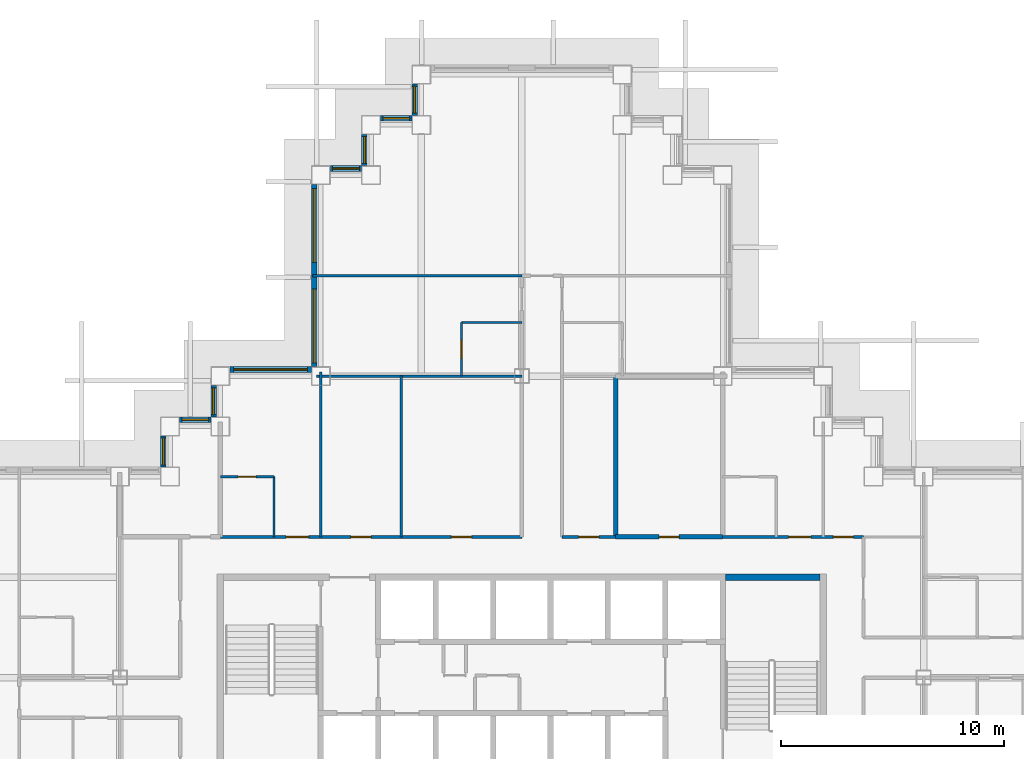
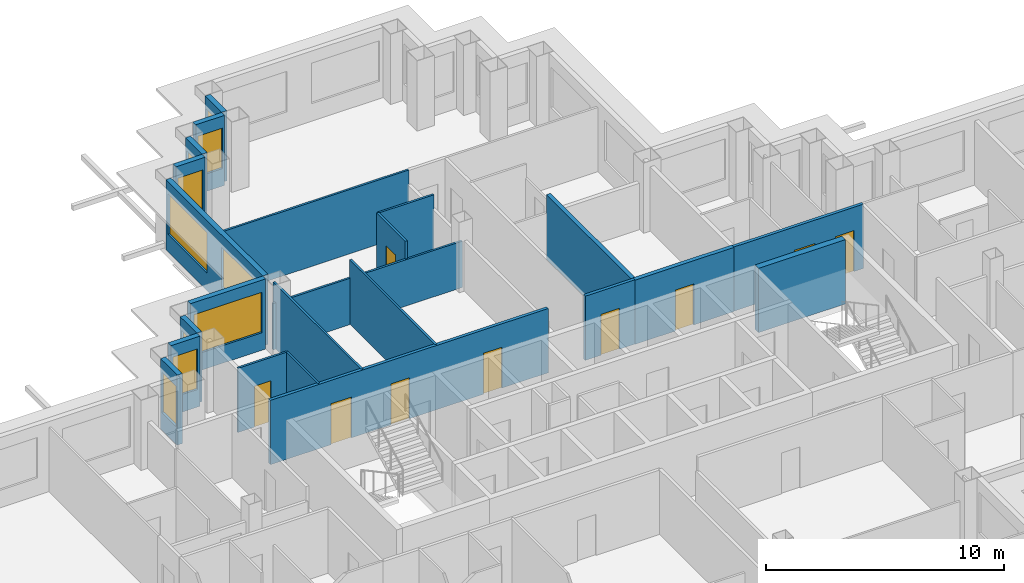
# One storey, part 9 of 17: 23 walls, 10 windows, 9 doors, 19 openings.
"""IFC4 building model written with IfcOpenShell, lengths in metres."""

from ifc_helpers import new_model, si_unit, direction, frame, frame_2d, origin, place, context, subcontext, project, spatial, rectangle, extrude, material, layer, layer_set, type_object, element, fill, save


model = new_model("IFC4")

# Units and contexts
model_context = context("Model", 3, precision=1e-05, world=origin(), true_north=direction((0.0, 1.0)))
body_context = subcontext(model_context, "Body", "Model", "MODEL_VIEW")
ifc_project = project(units=[si_unit("LENGTHUNIT", "METRE"), si_unit("AREAUNIT", "SQUARE_METRE"), si_unit("VOLUMEUNIT", "CUBIC_METRE"), si_unit("PLANEANGLEUNIT", "RADIAN"), si_unit("MASSUNIT", "GRAM", prefix="KILO")], contexts=[model_context])

# Site, building, storey
site_placement = place(None, origin())
site = spatial("IfcSite", under=ifc_project, at=site_placement, CompositionType="ELEMENT")
building_placement = place(site_placement, origin())
building = spatial("IfcBuilding", under=site, at=building_placement, Name="Caravel Reach Hotel and Residences", CompositionType="ELEMENT")
storey_placement = place(building_placement, frame((0.0, 0.0, 126.0)))
storey = spatial("IfcBuildingStorey", under=building, at=storey_placement, Name="L31", CompositionType="ELEMENT", Elevation=126.0)

# Wall, opening, door
ifc_material_1 = material(Name="Gypsum board on steel stud", Category="steel")
ifc_layer_1 = layer(ifc_material_1, 0.10009765625)
ifc_layer_set_1 = layer_set([ifc_layer_1], Name="Bathroom pod wall 100 mm")
wall_type_1 = type_object("IfcWallType", Name="Bathroom pod wall 100 mm", PredefinedType="PARTITIONING", material=ifc_layer_set_1)
wall_1_placement = place(storey_placement, frame((18.0, 36.0, 0.0), z_axis=(0.0, 0.0, 1.0), x_axis=(1.0, 0.0, 0.0)))
wall_1 = element("IfcWall", 1, at=wall_1_placement, inside=storey, type_object=wall_type_1, Name="L31 wall w077", PredefinedType="PARTITIONING", context=body_context, shape_type="SweptSolid", body=[
    extrude(rectangle(XDim=2.39990234375, YDim=0.10009765625, at=frame_2d((1.199951171875, 0.0))), origin(), (0.0, 0.0, 1.0), 3.300048828125),
])
opening_1_placement = place(wall_1_placement, frame((0.800048828125, 0.0, 0.0)))
opening_1 = element("IfcOpeningElement", 2, at=opening_1_placement, cuts=wall_1, Name="Opening D31-041", PredefinedType="OPENING", context=body_context, shape_type="SweptSolid", body=[
    extrude(rectangle(XDim=0.800048828125, YDim=2.10009765625, at=frame_2d((0.39990234375, 1.050048828125))), frame((0.0, 0.06005859375, 0.0), z_axis=(0.0, -1.0, 0.0), x_axis=(1.0, 0.0, 0.0)), (0.0, 0.0, 1.0), 0.1201171875),
])
ifc_material_2 = material(Name="Timber and steel door leaf", Category="steel")
door_type_1 = type_object("IfcDoorType", Name="Bathroom door 800 x 2100", OperationType="SINGLE_SWING_LEFT", PredefinedType="DOOR", material=ifc_material_2)
door_1_placement = place(opening_1_placement, origin())
door_1 = element("IfcDoor", 3, at=door_1_placement, inside=storey, type_object=door_type_1, Name="door D31-041", OperationType="SINGLE_SWING_RIGHT", OverallHeight=2.10009765625, OverallWidth=0.800048828125, PredefinedType="DOOR", context=body_context, shape_type="SweptSolid", body=[
    extrude(rectangle(XDim=0.800048828125, YDim=2.10009765625, at=frame_2d((0.39990234375, 1.050048828125))), frame((0.0, 0.02490234375, 0.0), z_axis=(0.0, -1.0, 0.0), x_axis=(1.0, 0.0, 0.0)), (0.0, 0.0, 1.0), 0.050048828125),
])
fill(opening_1, door_1)

# Walls
for number, where, z_axis, x_axis, name in (
    (4, (28.800048828125, 42.89990234375, 0.0), (0.0, 0.0, 1.0), (1.0, 0.0, 0.0), "L31 wall w080"),
    (5, (20.39990234375, 33.300048828125, 0.0), (0.0, 0.0, 1.0), (0.0, 1.0, 0.0), "L31 wall w084"),
):
    element("IfcWall", number, at=place(storey_placement, frame(where, z_axis=z_axis, x_axis=x_axis)), inside=storey, type_object=wall_type_1, Name=name, PredefinedType="PARTITIONING", context=body_context, shape_type="SweptSolid", body=[
        extrude(rectangle(XDim=2.699951171875, YDim=0.10009765625, at=frame_2d((1.35009765625, 0.0))), origin(), (0.0, 0.0, 1.0), 3.300048828125),
    ])

# Wall, opening, door
wall_2_placement = place(storey_placement, frame((28.800048828125, 40.5, 0.0), z_axis=(0.0, 0.0, 1.0), x_axis=(0.0, 1.0, 0.0)))
wall_2 = element("IfcWall", 6, at=wall_2_placement, inside=storey, type_object=wall_type_1, Name="L31 wall w087", PredefinedType="PARTITIONING", context=body_context, shape_type="SweptSolid", body=[
    extrude(rectangle(XDim=2.39990234375, YDim=0.10009765625, at=frame_2d((1.199951171875, 0.0))), origin(), (0.0, 0.0, 1.0), 3.300048828125),
])
opening_2_placement = place(wall_2_placement, frame((0.800048828125, 0.0, 0.0)))
opening_2 = element("IfcOpeningElement", 7, at=opening_2_placement, cuts=wall_2, Name="Opening D31-029", PredefinedType="OPENING", context=body_context, shape_type="SweptSolid", body=[
    extrude(rectangle(XDim=0.800048828125, YDim=2.10009765625, at=frame_2d((0.39990234375, 1.050048828125))), frame((0.0, 0.06005859375, 0.0), z_axis=(0.0, -1.0, 0.0), x_axis=(1.0, 0.0, 0.0)), (0.0, 0.0, 1.0), 0.1201171875),
])
door_2_placement = place(opening_2_placement, origin())
door_2 = element("IfcDoor", 8, at=door_2_placement, inside=storey, type_object=door_type_1, Name="door D31-029", OperationType="SINGLE_SWING_LEFT", OverallHeight=2.10009765625, OverallWidth=0.800048828125, PredefinedType="DOOR", context=body_context, shape_type="SweptSolid", body=[
    extrude(rectangle(XDim=0.800048828125, YDim=2.10009765625, at=frame_2d((0.39990234375, 1.050048828125))), frame((0.0, 0.02490234375, 0.0), z_axis=(0.0, -1.0, 0.0), x_axis=(1.0, 0.0, 0.0)), (0.0, 0.0, 1.0), 0.050048828125),
])
fill(opening_2, door_2)

ifc_material_3 = material(Name="Autoclaved aerated block wall")
ifc_layer_2 = layer(ifc_material_3, 0.199951171875)
ifc_layer_set_2 = layer_set([ifc_layer_2], Name="Compartment wall 200 mm EI 120")
wall_type_2 = type_object("IfcWallType", Name="Compartment wall 200 mm EI 120", PredefinedType="PARTITIONING", material=ifc_layer_set_2)
wall_3_placement = place(storey_placement, frame((35.699951171875, 33.300048828125, 0.0), z_axis=(0.0, 0.0, 1.0), x_axis=(1.0, 0.0, 0.0)))
wall_3 = element("IfcWall", 9, at=wall_3_placement, inside=storey, type_object=wall_type_2, Name="L31 wall w096", PredefinedType="PARTITIONING", context=body_context, shape_type="SweptSolid", body=[
    extrude(rectangle(XDim=4.800048828125, YDim=0.199951171875, at=frame_2d((2.39990234375, 0.0))), origin(), (0.0, 0.0, 1.0), 3.300048828125),
])
opening_3_placement = place(wall_3_placement, frame((1.949951171875, 0.0, 0.0)))
opening_3 = element("IfcOpeningElement", 10, at=opening_3_placement, cuts=wall_3, Name="Opening D31-053", PredefinedType="OPENING", context=body_context, shape_type="SweptSolid", body=[
    extrude(rectangle(XDim=0.89990234375, YDim=2.10009765625, at=frame_2d((0.449951171875, 1.050048828125))), frame((0.0, 0.10986328125, 0.0), z_axis=(0.0, -1.0, 0.0), x_axis=(1.0, 0.0, 0.0)), (0.0, 0.0, 1.0), 0.219970703125),
])
ifc_material_4 = material(Name="Steel fire door leaf", Category="steel")
door_type_2 = type_object("IfcDoorType", Name="Riser door 900 x 2100 EI 60", OperationType="SINGLE_SWING_LEFT", PredefinedType="DOOR", material=ifc_material_4)
door_3_placement = place(opening_3_placement, origin())
door_3 = element("IfcDoor", 11, at=door_3_placement, inside=storey, type_object=door_type_2, Name="door D31-053", OperationType="SINGLE_SWING_LEFT", OverallHeight=2.10009765625, OverallWidth=0.89990234375, PredefinedType="DOOR", context=body_context, shape_type="SweptSolid", body=[
    extrude(rectangle(XDim=0.89990234375, YDim=2.10009765625, at=frame_2d((0.449951171875, 1.050048828125))), frame((0.0, 0.02490234375, 0.0), z_axis=(0.0, -1.0, 0.0), x_axis=(1.0, 0.0, 0.0)), (0.0, 0.0, 1.0), 0.050048828125),
])
fill(opening_3, door_3)

# Walls
wall_4_placement = place(storey_placement, frame((35.699951171875, 33.300048828125, 0.0), z_axis=(0.0, 0.0, 1.0), x_axis=(0.0, 1.0, 0.0)))
element("IfcWall", 12, at=wall_4_placement, inside=storey, type_object=wall_type_2, Name="L31 wall w102", PredefinedType="PARTITIONING", context=body_context, shape_type="SweptSolid", body=[
    extrude(rectangle(XDim=7.199951171875, YDim=0.199951171875, at=frame_2d((3.60009765625, 0.0))), origin(), (0.0, 0.0, 1.0), 3.300048828125),
])
ifc_material_5 = material(Name="Concrete C60", Category="concrete")
ifc_layer_3 = layer(ifc_material_5, 0.300048828125)
ifc_layer_set_3 = layer_set([ifc_layer_3], Name="Core wall 300 mm EI 120")
wall_type_3 = type_object("IfcWallType", Name="Core wall 300 mm EI 120", PredefinedType="SHEAR", material=ifc_layer_set_3)
wall_5_placement = place(storey_placement, frame((40.625, 31.5, 0.0), z_axis=(0.0, 0.0, 1.0), x_axis=(1.0, 0.0, 0.0)))
element("IfcWall", 13, at=wall_5_placement, inside=storey, type_object=wall_type_3, Name="L31 core wall N2", PredefinedType="SHEAR", context=body_context, shape_type="SweptSolid", body=[
    extrude(rectangle(XDim=4.22509765625, YDim=0.300048828125, at=frame_2d((2.112548828125, 0.0))), origin(), (0.0, 0.0, 1.0), 3.300048828125),
])

# Wall, openings, doors
ifc_material_6 = material(Name="Gypsum board on steel stud, fire-rated", Category="steel")
ifc_layer_4 = layer(ifc_material_6, 0.14990234375)
ifc_layer_set_4 = layer_set([ifc_layer_4], Name="Corridor wall 150 mm EI 60")
wall_type_4 = type_object("IfcWallType", Name="Corridor wall 150 mm EI 60", PredefinedType="PARTITIONING", material=ifc_layer_set_4)
wall_6_placement = place(storey_placement, frame((18.0, 33.300048828125, 0.0), z_axis=(0.0, 0.0, 1.0), x_axis=(1.0, 0.0, 0.0)))
wall_6 = element("IfcWall", 14, at=wall_6_placement, inside=storey, type_object=wall_type_4, Name="L31 wall w015", PredefinedType="PARTITIONING", context=body_context, shape_type="SweptSolid", body=[
    extrude(rectangle(XDim=13.5, YDim=0.14990234375, at=frame_2d((6.75, 0.0))), origin(), (0.0, 0.0, 1.0), 3.300048828125),
])
opening_4_placement = place(wall_6_placement, frame((2.949951171875, 0.0, 0.0)))
opening_4 = element("IfcOpeningElement", 15, at=opening_4_placement, cuts=wall_6, Name="Opening D31-040", PredefinedType="OPENING", context=body_context, shape_type="SweptSolid", body=[
    extrude(rectangle(XDim=1.0, YDim=2.10009765625, at=frame_2d((0.5, 1.050048828125))), frame((0.0, 0.0849609375, 0.0), z_axis=(0.0, -1.0, 0.0), x_axis=(1.0, 0.0, 0.0)), (0.0, 0.0, 1.0), 0.169921875),
])
opening_5_placement = place(wall_6_placement, frame((5.85009765625, 0.0, 0.0)))
opening_5 = element("IfcOpeningElement", 16, at=opening_5_placement, cuts=wall_6, Name="Opening D31-050", PredefinedType="OPENING", context=body_context, shape_type="SweptSolid", body=[
    extrude(rectangle(XDim=0.89990234375, YDim=2.10009765625, at=frame_2d((0.449951171875, 1.050048828125))), frame((0.0, 0.0849609375, 0.0), z_axis=(0.0, -1.0, 0.0), x_axis=(1.0, 0.0, 0.0)), (0.0, 0.0, 1.0), 0.169921875),
])
opening_6_placement = place(wall_6_placement, frame((10.35009765625, 0.0, 0.0)))
opening_6 = element("IfcOpeningElement", 17, at=opening_6_placement, cuts=wall_6, Name="Opening D31-051", PredefinedType="OPENING", context=body_context, shape_type="SweptSolid", body=[
    extrude(rectangle(XDim=0.89990234375, YDim=2.10009765625, at=frame_2d((0.449951171875, 1.050048828125))), frame((0.0, 0.0849609375, 0.0), z_axis=(0.0, -1.0, 0.0), x_axis=(1.0, 0.0, 0.0)), (0.0, 0.0, 1.0), 0.169921875),
])
ifc_material_7 = material(Name="Timber and steel door leaf", Category="steel")
door_type_3 = type_object("IfcDoorType", Name="Door 900 x 2100 timber", OperationType="SINGLE_SWING_LEFT", PredefinedType="DOOR", material=ifc_material_7)
door_4_placement = place(opening_5_placement, origin())
door_4 = element("IfcDoor", 18, at=door_4_placement, inside=storey, type_object=door_type_3, Name="door D31-050", OperationType="SINGLE_SWING_LEFT", OverallHeight=2.10009765625, OverallWidth=0.89990234375, PredefinedType="DOOR", context=body_context, shape_type="SweptSolid", body=[
    extrude(rectangle(XDim=0.89990234375, YDim=2.10009765625, at=frame_2d((0.449951171875, 1.050048828125))), frame((0.0, 0.02490234375, 0.0), z_axis=(0.0, -1.0, 0.0), x_axis=(1.0, 0.0, 0.0)), (0.0, 0.0, 1.0), 0.050048828125),
])
fill(opening_5, door_4)
door_5_placement = place(opening_6_placement, origin())
door_5 = element("IfcDoor", 19, at=door_5_placement, inside=storey, type_object=door_type_3, Name="door D31-051", OperationType="SINGLE_SWING_LEFT", OverallHeight=2.10009765625, OverallWidth=0.89990234375, PredefinedType="DOOR", context=body_context, shape_type="SweptSolid", body=[
    extrude(rectangle(XDim=0.89990234375, YDim=2.10009765625, at=frame_2d((0.449951171875, 1.050048828125))), frame((0.0, 0.02490234375, 0.0), z_axis=(0.0, -1.0, 0.0), x_axis=(1.0, 0.0, 0.0)), (0.0, 0.0, 1.0), 0.050048828125),
])
fill(opening_6, door_5)
ifc_material_8 = material(Name="Steel fire door leaf", Category="steel")
door_type_4 = type_object("IfcDoorType", Name="Guest room door 1000 x 2100 EI 30", OperationType="SINGLE_SWING_LEFT", PredefinedType="DOOR", material=ifc_material_8)
door_6_placement = place(opening_4_placement, origin())
door_6 = element("IfcDoor", 20, at=door_6_placement, inside=storey, type_object=door_type_4, Name="door D31-040", OperationType="SINGLE_SWING_RIGHT", OverallHeight=2.10009765625, OverallWidth=1.0, PredefinedType="DOOR", context=body_context, shape_type="SweptSolid", body=[
    extrude(rectangle(XDim=1.0, YDim=2.10009765625, at=frame_2d((0.5, 1.050048828125))), frame((0.0, 0.02490234375, 0.0), z_axis=(0.0, -1.0, 0.0), x_axis=(1.0, 0.0, 0.0)), (0.0, 0.0, 1.0), 0.050048828125),
])
fill(opening_4, door_6)

wall_7_placement = place(storey_placement, frame((40.5, 33.300048828125, 0.0), z_axis=(0.0, 0.0, 1.0), x_axis=(1.0, 0.0, 0.0)))
wall_7 = element("IfcWall", 21, at=wall_7_placement, inside=storey, type_object=wall_type_4, Name="L31 wall w016", PredefinedType="PARTITIONING", context=body_context, shape_type="SweptSolid", body=[
    extrude(rectangle(XDim=6.300048828125, YDim=0.14990234375, at=frame_2d((3.14990234375, 0.0))), origin(), (0.0, 0.0, 1.0), 3.300048828125),
])
opening_7_placement = place(wall_7_placement, frame((2.949951171875, 0.0, 0.0)))
opening_7 = element("IfcOpeningElement", 22, at=opening_7_placement, cuts=wall_7, Name="Opening D31-043", PredefinedType="OPENING", context=body_context, shape_type="SweptSolid", body=[
    extrude(rectangle(XDim=1.0, YDim=2.10009765625, at=frame_2d((0.5, 1.050048828125))), frame((0.0, 0.0849609375, 0.0), z_axis=(0.0, -1.0, 0.0), x_axis=(1.0, 0.0, 0.0)), (0.0, 0.0, 1.0), 0.169921875),
])
opening_8_placement = place(wall_7_placement, frame((4.949951171875, 0.0, 0.0)))
opening_8 = element("IfcOpeningElement", 23, at=opening_8_placement, cuts=wall_7, Name="Opening D31-045", PredefinedType="OPENING", context=body_context, shape_type="SweptSolid", body=[
    extrude(rectangle(XDim=0.89990234375, YDim=2.10009765625, at=frame_2d((0.449951171875, 1.050048828125))), frame((0.0, 0.0849609375, 0.0), z_axis=(0.0, -1.0, 0.0), x_axis=(1.0, 0.0, 0.0)), (0.0, 0.0, 1.0), 0.169921875),
])
door_7_placement = place(opening_8_placement, origin())
door_7 = element("IfcDoor", 24, at=door_7_placement, inside=storey, type_object=door_type_3, Name="door D31-045", OperationType="SINGLE_SWING_LEFT", OverallHeight=2.10009765625, OverallWidth=0.89990234375, PredefinedType="DOOR", context=body_context, shape_type="SweptSolid", body=[
    extrude(rectangle(XDim=0.89990234375, YDim=2.10009765625, at=frame_2d((0.449951171875, 1.050048828125))), frame((0.0, 0.02490234375, 0.0), z_axis=(0.0, -1.0, 0.0), x_axis=(1.0, 0.0, 0.0)), (0.0, 0.0, 1.0), 0.050048828125),
])
fill(opening_8, door_7)
door_8_placement = place(opening_7_placement, origin())
door_8 = element("IfcDoor", 25, at=door_8_placement, inside=storey, type_object=door_type_4, Name="door D31-043", OperationType="SINGLE_SWING_RIGHT", OverallHeight=2.10009765625, OverallWidth=1.0, PredefinedType="DOOR", context=body_context, shape_type="SweptSolid", body=[
    extrude(rectangle(XDim=1.0, YDim=2.10009765625, at=frame_2d((0.5, 1.050048828125))), frame((0.0, 0.02490234375, 0.0), z_axis=(0.0, -1.0, 0.0), x_axis=(1.0, 0.0, 0.0)), (0.0, 0.0, 1.0), 0.050048828125),
])
fill(opening_7, door_8)

# Wall, opening, door
wall_8_placement = place(storey_placement, frame((33.300048828125, 33.300048828125, 0.0), z_axis=(0.0, 0.0, 1.0), x_axis=(1.0, 0.0, 0.0)))
wall_8 = element("IfcWall", 26, at=wall_8_placement, inside=storey, type_object=wall_type_4, Name="L31 wall w019", PredefinedType="PARTITIONING", context=body_context, shape_type="SweptSolid", body=[
    extrude(rectangle(XDim=2.39990234375, YDim=0.14990234375, at=frame_2d((1.199951171875, 0.0))), origin(), (0.0, 0.0, 1.0), 3.300048828125),
])
opening_9_placement = place(wall_8_placement, frame((0.75, 0.0, 0.0)))
opening_9 = element("IfcOpeningElement", 27, at=opening_9_placement, cuts=wall_8, Name="Opening D31-052", PredefinedType="OPENING", context=body_context, shape_type="SweptSolid", body=[
    extrude(rectangle(XDim=0.89990234375, YDim=2.10009765625, at=frame_2d((0.449951171875, 1.050048828125))), frame((0.0, 0.0849609375, 0.0), z_axis=(0.0, -1.0, 0.0), x_axis=(1.0, 0.0, 0.0)), (0.0, 0.0, 1.0), 0.169921875),
])
door_9_placement = place(opening_9_placement, origin())
door_9 = element("IfcDoor", 28, at=door_9_placement, inside=storey, type_object=door_type_3, Name="door D31-052", OperationType="SINGLE_SWING_LEFT", OverallHeight=2.10009765625, OverallWidth=0.89990234375, PredefinedType="DOOR", context=body_context, shape_type="SweptSolid", body=[
    extrude(rectangle(XDim=0.89990234375, YDim=2.10009765625, at=frame_2d((0.449951171875, 1.050048828125))), frame((0.0, 0.02490234375, 0.0), z_axis=(0.0, -1.0, 0.0), x_axis=(1.0, 0.0, 0.0)), (0.0, 0.0, 1.0), 0.050048828125),
])
fill(opening_9, door_9)

# Wall, opening, window
ifc_material_9 = material(Name="Insulated rainscreen wall, aluminium cladding", Category="aluminium")
ifc_layer_5 = layer(ifc_material_9, 0.25)
ifc_layer_set_5 = layer_set([ifc_layer_5], Name="EW1 Tower rainscreen wall")
wall_type_5 = type_object("IfcWallType", Name="EW1 Tower rainscreen wall", PredefinedType="SOLIDWALL", material=ifc_layer_set_5)
wall_9_placement = place(storey_placement, frame((26.699951171875, 53.574951171875, 0.0), z_axis=(0.0, 0.0, 1.0), x_axis=(0.0, -1.0, 0.0)))
wall_9 = element("IfcWall", 29, at=wall_9_placement, inside=storey, type_object=wall_type_5, Name="External wall L31 W36.1", PredefinedType="SOLIDWALL", context=body_context, shape_type="SweptSolid", body=[
    extrude(rectangle(XDim=1.39990234375, YDim=0.25, at=frame_2d((0.699951171875, 0.0))), origin(), (0.0, 0.0, 1.0), 3.60009765625),
])
opening_10_placement = place(wall_9_placement, frame((0.10009765625, 0.0, 0.89990234375)))
opening_10 = element("IfcOpeningElement", 30, at=opening_10_placement, cuts=wall_9, Name="Opening WN9", PredefinedType="OPENING", context=body_context, shape_type="SweptSolid", body=[
    extrude(rectangle(XDim=1.199951171875, YDim=2.080078125, at=frame_2d((0.60009765625, 1.0400390625))), frame((0.0, 0.135009765625, 0.0), z_axis=(0.0, -1.0, 0.0), x_axis=(1.0, 0.0, 0.0)), (0.0, 0.0, 1.0), 0.27001953125),
])
ifc_material_10 = material(Name="Dark low-e glazing in black aluminium frame", Category="aluminium")
window_type_1 = type_object("IfcWindowType", Name="Hotel suite corner window 1200 x 2080", PartitioningType="SINGLE_PANEL", PredefinedType="WINDOW", material=ifc_material_10)
window_1_placement = place(opening_10_placement, origin())
window_1 = element("IfcWindow", 31, at=window_1_placement, inside=storey, type_object=window_type_1, Name="Window L31 W36.1.1", OverallHeight=2.080078125, OverallWidth=1.199951171875, PartitioningType="SINGLE_PANEL", PredefinedType="WINDOW", context=body_context, shape_type="SweptSolid", body=[
    extrude(rectangle(XDim=1.199951171875, YDim=2.080078125, at=frame_2d((0.60009765625, 1.0400390625))), frame((0.0, 0.030029296875, 0.0), z_axis=(0.0, -1.0, 0.0), x_axis=(1.0, 0.0, 0.0)), (0.0, 0.0, 1.0), 0.06005859375),
])
fill(opening_10, window_1)

wall_10_placement = place(storey_placement, frame((26.574951171875, 52.050048828125, 0.0), z_axis=(0.0, 0.0, 1.0), x_axis=(-1.0, 0.0, 0.0)))
wall_10 = element("IfcWall", 32, at=wall_10_placement, inside=storey, type_object=wall_type_5, Name="External wall L31 N37.1", PredefinedType="SOLIDWALL", context=body_context, shape_type="SweptSolid", body=[
    extrude(rectangle(XDim=1.39990234375, YDim=0.25, at=frame_2d((0.699951171875, 0.0))), origin(), (0.0, 0.0, 1.0), 3.60009765625),
])
opening_11_placement = place(wall_10_placement, frame((0.10009765625, 0.0, 0.89990234375)))
opening_11 = element("IfcOpeningElement", 33, at=opening_11_placement, cuts=wall_10, Name="Opening WN9", PredefinedType="OPENING", context=body_context, shape_type="SweptSolid", body=[
    extrude(rectangle(XDim=1.199951171875, YDim=2.080078125, at=frame_2d((0.60009765625, 1.0400390625))), frame((0.0, 0.135009765625, 0.0), z_axis=(0.0, -1.0, 0.0), x_axis=(1.0, 0.0, 0.0)), (0.0, 0.0, 1.0), 0.27001953125),
])
window_2_placement = place(opening_11_placement, origin())
window_2 = element("IfcWindow", 34, at=window_2_placement, inside=storey, type_object=window_type_1, Name="Window L31 N37.1.1", OverallHeight=2.080078125, OverallWidth=1.199951171875, PartitioningType="SINGLE_PANEL", PredefinedType="WINDOW", context=body_context, shape_type="SweptSolid", body=[
    extrude(rectangle(XDim=1.199951171875, YDim=2.080078125, at=frame_2d((0.60009765625, 1.0400390625))), frame((0.0, 0.030029296875, 0.0), z_axis=(0.0, -1.0, 0.0), x_axis=(1.0, 0.0, 0.0)), (0.0, 0.0, 1.0), 0.06005859375),
])
fill(opening_11, window_2)

wall_11_placement = place(storey_placement, frame((24.449951171875, 51.324951171875, 0.0), z_axis=(0.0, 0.0, 1.0), x_axis=(0.0, -1.0, 0.0)))
wall_11 = element("IfcWall", 35, at=wall_11_placement, inside=storey, type_object=wall_type_5, Name="External wall L31 W38.1", PredefinedType="SOLIDWALL", context=body_context, shape_type="SweptSolid", body=[
    extrude(rectangle(XDim=1.39990234375, YDim=0.25, at=frame_2d((0.699951171875, 0.0))), origin(), (0.0, 0.0, 1.0), 3.60009765625),
])
opening_12_placement = place(wall_11_placement, frame((0.10009765625, 0.0, 0.89990234375)))
opening_12 = element("IfcOpeningElement", 36, at=opening_12_placement, cuts=wall_11, Name="Opening WN9", PredefinedType="OPENING", context=body_context, shape_type="SweptSolid", body=[
    extrude(rectangle(XDim=1.199951171875, YDim=2.080078125, at=frame_2d((0.60009765625, 1.0400390625))), frame((0.0, 0.135009765625, 0.0), z_axis=(0.0, -1.0, 0.0), x_axis=(1.0, 0.0, 0.0)), (0.0, 0.0, 1.0), 0.27001953125),
])
window_3_placement = place(opening_12_placement, origin())
window_3 = element("IfcWindow", 37, at=window_3_placement, inside=storey, type_object=window_type_1, Name="Window L31 W38.1.1", OverallHeight=2.080078125, OverallWidth=1.199951171875, PartitioningType="SINGLE_PANEL", PredefinedType="WINDOW", context=body_context, shape_type="SweptSolid", body=[
    extrude(rectangle(XDim=1.199951171875, YDim=2.080078125, at=frame_2d((0.60009765625, 1.0400390625))), frame((0.0, 0.030029296875, 0.0), z_axis=(0.0, -1.0, 0.0), x_axis=(1.0, 0.0, 0.0)), (0.0, 0.0, 1.0), 0.06005859375),
])
fill(opening_12, window_3)

wall_12_placement = place(storey_placement, frame((24.324951171875, 49.800048828125, 0.0), z_axis=(0.0, 0.0, 1.0), x_axis=(-1.0, 0.0, 0.0)))
wall_12 = element("IfcWall", 38, at=wall_12_placement, inside=storey, type_object=wall_type_5, Name="External wall L31 N39.1", PredefinedType="SOLIDWALL", context=body_context, shape_type="SweptSolid", body=[
    extrude(rectangle(XDim=1.39990234375, YDim=0.25, at=frame_2d((0.699951171875, 0.0))), origin(), (0.0, 0.0, 1.0), 3.60009765625),
])
opening_13_placement = place(wall_12_placement, frame((0.10009765625, 0.0, 0.89990234375)))
opening_13 = element("IfcOpeningElement", 39, at=opening_13_placement, cuts=wall_12, Name="Opening WN9", PredefinedType="OPENING", context=body_context, shape_type="SweptSolid", body=[
    extrude(rectangle(XDim=1.199951171875, YDim=2.080078125, at=frame_2d((0.60009765625, 1.0400390625))), frame((0.0, 0.135009765625, 0.0), z_axis=(0.0, -1.0, 0.0), x_axis=(1.0, 0.0, 0.0)), (0.0, 0.0, 1.0), 0.27001953125),
])
window_4_placement = place(opening_13_placement, origin())
window_4 = element("IfcWindow", 40, at=window_4_placement, inside=storey, type_object=window_type_1, Name="Window L31 N39.1.1", OverallHeight=2.080078125, OverallWidth=1.199951171875, PartitioningType="SINGLE_PANEL", PredefinedType="WINDOW", context=body_context, shape_type="SweptSolid", body=[
    extrude(rectangle(XDim=1.199951171875, YDim=2.080078125, at=frame_2d((0.60009765625, 1.0400390625))), frame((0.0, 0.030029296875, 0.0), z_axis=(0.0, -1.0, 0.0), x_axis=(1.0, 0.0, 0.0)), (0.0, 0.0, 1.0), 0.06005859375),
])
fill(opening_13, window_4)

# Wall, openings, windows
wall_13_placement = place(storey_placement, frame((22.199951171875, 49.074951171875, 0.0), z_axis=(0.0, 0.0, 1.0), x_axis=(0.0, -1.0, 0.0)))
wall_13 = element("IfcWall", 41, at=wall_13_placement, inside=storey, type_object=wall_type_5, Name="External wall L31 W40.1", PredefinedType="SOLIDWALL", context=body_context, shape_type="SweptSolid", body=[
    extrude(rectangle(XDim=8.14990234375, YDim=0.25, at=frame_2d((4.074951171875, 0.0))), origin(), (0.0, 0.0, 1.0), 3.60009765625),
])
opening_14_placement = place(wall_13_placement, frame((0.175048828125, 0.0, 0.89990234375)))
opening_14 = element("IfcOpeningElement", 42, at=opening_14_placement, cuts=wall_13, Name="Opening WN4", PredefinedType="OPENING", context=body_context, shape_type="SweptSolid", body=[
    extrude(rectangle(XDim=3.300048828125, YDim=2.080078125, at=frame_2d((1.64990234375, 1.0400390625))), frame((0.0, 0.135009765625, 0.0), z_axis=(0.0, -1.0, 0.0), x_axis=(1.0, 0.0, 0.0)), (0.0, 0.0, 1.0), 0.27001953125),
])
opening_15_placement = place(wall_13_placement, frame((4.675048828125, 0.0, 0.89990234375)))
opening_15 = element("IfcOpeningElement", 43, at=opening_15_placement, cuts=wall_13, Name="Opening WN4", PredefinedType="OPENING", context=body_context, shape_type="SweptSolid", body=[
    extrude(rectangle(XDim=3.300048828125, YDim=2.080078125, at=frame_2d((1.64990234375, 1.0400390625))), frame((0.0, 0.135009765625, 0.0), z_axis=(0.0, -1.0, 0.0), x_axis=(1.0, 0.0, 0.0)), (0.0, 0.0, 1.0), 0.27001953125),
])
ifc_material_11 = material(Name="Dark low-e glazing in black aluminium frame", Category="aluminium")
window_type_2 = type_object("IfcWindowType", Name="Hotel guest room window 3300 x 2080", PartitioningType="SINGLE_PANEL", PredefinedType="WINDOW", material=ifc_material_11)
window_5_placement = place(opening_14_placement, origin())
window_5 = element("IfcWindow", 44, at=window_5_placement, inside=storey, type_object=window_type_2, Name="Window L31 W40.1.1", OverallHeight=2.080078125, OverallWidth=3.300048828125, PartitioningType="SINGLE_PANEL", PredefinedType="WINDOW", context=body_context, shape_type="SweptSolid", body=[
    extrude(rectangle(XDim=3.300048828125, YDim=2.080078125, at=frame_2d((1.64990234375, 1.0400390625))), frame((0.0, 0.030029296875, 0.0), z_axis=(0.0, -1.0, 0.0), x_axis=(1.0, 0.0, 0.0)), (0.0, 0.0, 1.0), 0.06005859375),
])
fill(opening_14, window_5)
window_6_placement = place(opening_15_placement, origin())
window_6 = element("IfcWindow", 45, at=window_6_placement, inside=storey, type_object=window_type_2, Name="Window L31 W40.1.2", OverallHeight=2.080078125, OverallWidth=3.300048828125, PartitioningType="SINGLE_PANEL", PredefinedType="WINDOW", context=body_context, shape_type="SweptSolid", body=[
    extrude(rectangle(XDim=3.300048828125, YDim=2.080078125, at=frame_2d((1.64990234375, 1.0400390625))), frame((0.0, 0.030029296875, 0.0), z_axis=(0.0, -1.0, 0.0), x_axis=(1.0, 0.0, 0.0)), (0.0, 0.0, 1.0), 0.06005859375),
])
fill(opening_15, window_6)

# Wall, opening, window
wall_14_placement = place(storey_placement, frame((22.074951171875, 40.800048828125, 0.0), z_axis=(0.0, 0.0, 1.0), x_axis=(-1.0, 0.0, 0.0)))
wall_14 = element("IfcWall", 46, at=wall_14_placement, inside=storey, type_object=wall_type_5, Name="External wall L31 N41.1", PredefinedType="SOLIDWALL", context=body_context, shape_type="SweptSolid", body=[
    extrude(rectangle(XDim=3.64990234375, YDim=0.25, at=frame_2d((1.824951171875, 0.0))), origin(), (0.0, 0.0, 1.0), 3.60009765625),
])
opening_16_placement = place(wall_14_placement, frame((0.175048828125, 0.0, 0.89990234375)))
opening_16 = element("IfcOpeningElement", 47, at=opening_16_placement, cuts=wall_14, Name="Opening WN4", PredefinedType="OPENING", context=body_context, shape_type="SweptSolid", body=[
    extrude(rectangle(XDim=3.300048828125, YDim=2.080078125, at=frame_2d((1.64990234375, 1.0400390625))), frame((0.0, 0.135009765625, 0.0), z_axis=(0.0, -1.0, 0.0), x_axis=(1.0, 0.0, 0.0)), (0.0, 0.0, 1.0), 0.27001953125),
])
window_7_placement = place(opening_16_placement, origin())
window_7 = element("IfcWindow", 48, at=window_7_placement, inside=storey, type_object=window_type_2, Name="Window L31 N41.1.1", OverallHeight=2.080078125, OverallWidth=3.300048828125, PartitioningType="SINGLE_PANEL", PredefinedType="WINDOW", context=body_context, shape_type="SweptSolid", body=[
    extrude(rectangle(XDim=3.300048828125, YDim=2.080078125, at=frame_2d((1.64990234375, 1.0400390625))), frame((0.0, 0.030029296875, 0.0), z_axis=(0.0, -1.0, 0.0), x_axis=(1.0, 0.0, 0.0)), (0.0, 0.0, 1.0), 0.06005859375),
])
fill(opening_16, window_7)

wall_15_placement = place(storey_placement, frame((17.699951171875, 40.074951171875, 0.0), z_axis=(0.0, 0.0, 1.0), x_axis=(0.0, -1.0, 0.0)))
wall_15 = element("IfcWall", 49, at=wall_15_placement, inside=storey, type_object=wall_type_5, Name="External wall L31 W42.1", PredefinedType="SOLIDWALL", context=body_context, shape_type="SweptSolid", body=[
    extrude(rectangle(XDim=1.39990234375, YDim=0.25, at=frame_2d((0.699951171875, 0.0))), origin(), (0.0, 0.0, 1.0), 3.60009765625),
])
opening_17_placement = place(wall_15_placement, frame((0.10009765625, 0.0, 0.89990234375)))
opening_17 = element("IfcOpeningElement", 50, at=opening_17_placement, cuts=wall_15, Name="Opening WN9", PredefinedType="OPENING", context=body_context, shape_type="SweptSolid", body=[
    extrude(rectangle(XDim=1.199951171875, YDim=2.080078125, at=frame_2d((0.60009765625, 1.0400390625))), frame((0.0, 0.135009765625, 0.0), z_axis=(0.0, -1.0, 0.0), x_axis=(1.0, 0.0, 0.0)), (0.0, 0.0, 1.0), 0.27001953125),
])
window_8_placement = place(opening_17_placement, origin())
window_8 = element("IfcWindow", 51, at=window_8_placement, inside=storey, type_object=window_type_1, Name="Window L31 W42.1.1", OverallHeight=2.080078125, OverallWidth=1.199951171875, PartitioningType="SINGLE_PANEL", PredefinedType="WINDOW", context=body_context, shape_type="SweptSolid", body=[
    extrude(rectangle(XDim=1.199951171875, YDim=2.080078125, at=frame_2d((0.60009765625, 1.0400390625))), frame((0.0, 0.030029296875, 0.0), z_axis=(0.0, -1.0, 0.0), x_axis=(1.0, 0.0, 0.0)), (0.0, 0.0, 1.0), 0.06005859375),
])
fill(opening_17, window_8)

wall_16_placement = place(storey_placement, frame((17.574951171875, 38.550048828125, 0.0), z_axis=(0.0, 0.0, 1.0), x_axis=(-1.0, 0.0, 0.0)))
wall_16 = element("IfcWall", 52, at=wall_16_placement, inside=storey, type_object=wall_type_5, Name="External wall L31 N43.1", PredefinedType="SOLIDWALL", context=body_context, shape_type="SweptSolid", body=[
    extrude(rectangle(XDim=1.39990234375, YDim=0.25, at=frame_2d((0.699951171875, 0.0))), origin(), (0.0, 0.0, 1.0), 3.60009765625),
])
opening_18_placement = place(wall_16_placement, frame((0.10009765625, 0.0, 0.89990234375)))
opening_18 = element("IfcOpeningElement", 53, at=opening_18_placement, cuts=wall_16, Name="Opening WN9", PredefinedType="OPENING", context=body_context, shape_type="SweptSolid", body=[
    extrude(rectangle(XDim=1.199951171875, YDim=2.080078125, at=frame_2d((0.60009765625, 1.0400390625))), frame((0.0, 0.135009765625, 0.0), z_axis=(0.0, -1.0, 0.0), x_axis=(1.0, 0.0, 0.0)), (0.0, 0.0, 1.0), 0.27001953125),
])
window_9_placement = place(opening_18_placement, origin())
window_9 = element("IfcWindow", 54, at=window_9_placement, inside=storey, type_object=window_type_1, Name="Window L31 N43.1.1", OverallHeight=2.080078125, OverallWidth=1.199951171875, PartitioningType="SINGLE_PANEL", PredefinedType="WINDOW", context=body_context, shape_type="SweptSolid", body=[
    extrude(rectangle(XDim=1.199951171875, YDim=2.080078125, at=frame_2d((0.60009765625, 1.0400390625))), frame((0.0, 0.030029296875, 0.0), z_axis=(0.0, -1.0, 0.0), x_axis=(1.0, 0.0, 0.0)), (0.0, 0.0, 1.0), 0.06005859375),
])
fill(opening_18, window_9)

wall_17_placement = place(storey_placement, frame((15.449951171875, 37.824951171875, 0.0), z_axis=(0.0, 0.0, 1.0), x_axis=(0.0, -1.0, 0.0)))
wall_17 = element("IfcWall", 55, at=wall_17_placement, inside=storey, type_object=wall_type_5, Name="External wall L31 W44.1", PredefinedType="SOLIDWALL", context=body_context, shape_type="SweptSolid", body=[
    extrude(rectangle(XDim=1.39990234375, YDim=0.25, at=frame_2d((0.699951171875, 0.0))), origin(), (0.0, 0.0, 1.0), 3.60009765625),
])
opening_19_placement = place(wall_17_placement, frame((0.10009765625, 0.0, 0.89990234375)))
opening_19 = element("IfcOpeningElement", 56, at=opening_19_placement, cuts=wall_17, Name="Opening WN9", PredefinedType="OPENING", context=body_context, shape_type="SweptSolid", body=[
    extrude(rectangle(XDim=1.199951171875, YDim=2.080078125, at=frame_2d((0.60009765625, 1.0400390625))), frame((0.0, 0.135009765625, 0.0), z_axis=(0.0, -1.0, 0.0), x_axis=(1.0, 0.0, 0.0)), (0.0, 0.0, 1.0), 0.27001953125),
])
window_10_placement = place(opening_19_placement, origin())
window_10 = element("IfcWindow", 57, at=window_10_placement, inside=storey, type_object=window_type_1, Name="Window L31 W44.1.1", OverallHeight=2.080078125, OverallWidth=1.199951171875, PartitioningType="SINGLE_PANEL", PredefinedType="WINDOW", context=body_context, shape_type="SweptSolid", body=[
    extrude(rectangle(XDim=1.199951171875, YDim=2.080078125, at=frame_2d((0.60009765625, 1.0400390625))), frame((0.0, 0.030029296875, 0.0), z_axis=(0.0, -1.0, 0.0), x_axis=(1.0, 0.0, 0.0)), (0.0, 0.0, 1.0), 0.06005859375),
])
fill(opening_19, window_10)

# Walls
ifc_material_12 = material(Name="Gypsum board on steel stud", Category="steel")
ifc_layer_6 = layer(ifc_material_12, 0.10009765625)
ifc_layer_set_6 = layer_set([ifc_layer_6], Name="Partition 100 mm")
wall_type_6 = type_object("IfcWallType", Name="Partition 100 mm", PredefinedType="PARTITIONING", material=ifc_layer_set_6)
wall_18_placement = place(storey_placement, frame((22.31005859375, 40.5, 0.0), z_axis=(0.0, 0.0, 1.0), x_axis=(1.0, 0.0, 0.0)))
element("IfcWall", 58, at=wall_18_placement, inside=storey, type_object=wall_type_6, Name="L31 wall w043", PredefinedType="PARTITIONING", context=body_context, shape_type="SweptSolid", body=[
    extrude(rectangle(XDim=9.18994140625, YDim=0.10009765625, at=frame_2d((4.594970703125, 0.0))), origin(), (0.0, 0.0, 1.0), 2.3798828125),
])
wall_19_placement = place(storey_placement, frame((22.135009765625, 45.0, 0.0), z_axis=(0.0, 0.0, 1.0), x_axis=(1.0, 0.0, 0.0)))
element("IfcWall", 59, at=wall_19_placement, inside=storey, type_object=wall_type_6, Name="L31 wall w046", PredefinedType="PARTITIONING", context=body_context, shape_type="SweptSolid", body=[
    extrude(rectangle(XDim=9.364990234375, YDim=0.10009765625, at=frame_2d((4.6826171875, 0.0))), origin(), (0.0, 0.0, 1.0), 3.300048828125),
])
wall_20_placement = place(storey_placement, frame((22.5, 33.300048828125, 0.0), z_axis=(0.0, 0.0, 1.0), x_axis=(0.0, 1.0, 0.0)))
element("IfcWall", 60, at=wall_20_placement, inside=storey, type_object=wall_type_6, Name="L31 wall w051", PredefinedType="PARTITIONING", context=body_context, shape_type="SweptSolid", body=[
    extrude(rectangle(XDim=7.389892578125, YDim=0.10009765625, at=frame_2d((3.69482421875, 0.0))), origin(), (0.0, 0.0, 1.0), 3.300048828125),
])
wall_21_placement = place(storey_placement, frame((26.10009765625, 33.300048828125, 0.0), z_axis=(0.0, 0.0, 1.0), x_axis=(0.0, 1.0, 0.0)))
element("IfcWall", 61, at=wall_21_placement, inside=storey, type_object=wall_type_6, Name="L31 wall w053", PredefinedType="PARTITIONING", context=body_context, shape_type="SweptSolid", body=[
    extrude(rectangle(XDim=7.199951171875, YDim=0.10009765625, at=frame_2d((3.60009765625, 0.0))), origin(), (0.0, 0.0, 1.0), 3.300048828125),
])

save(model, "model.ifc")
